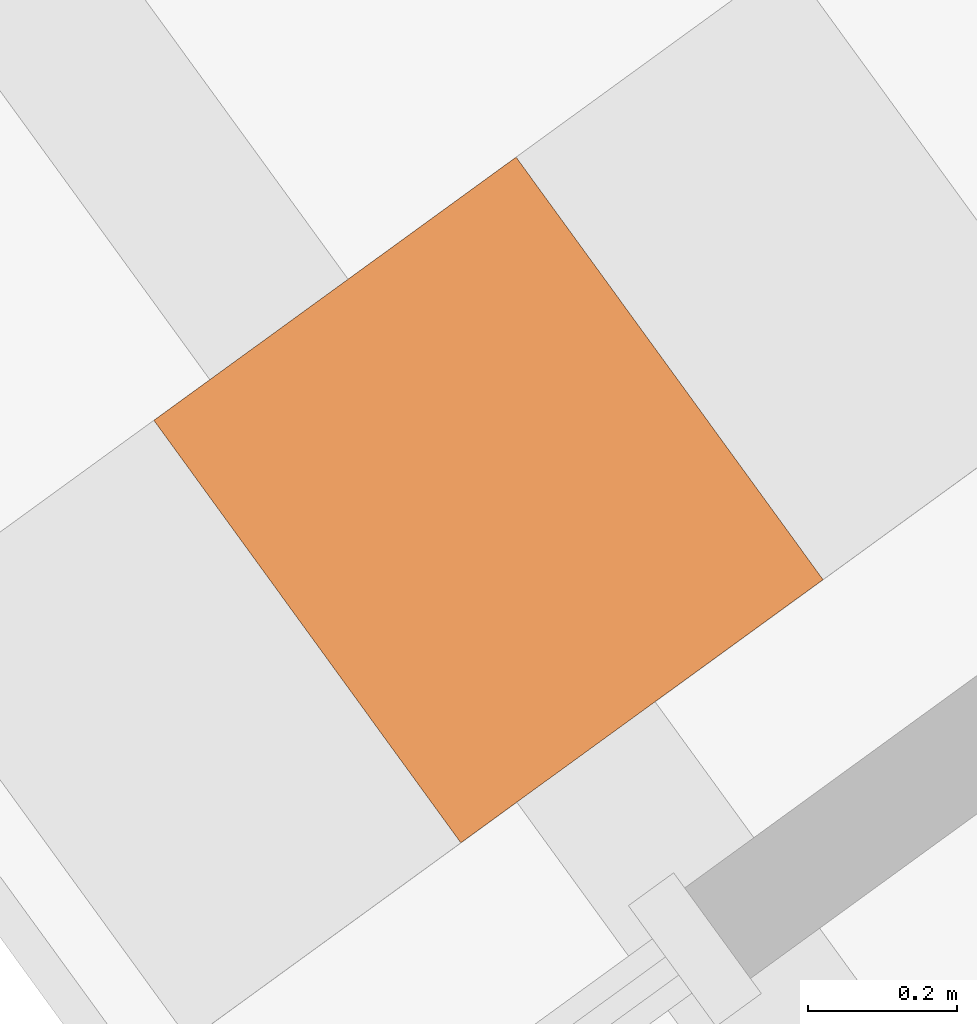
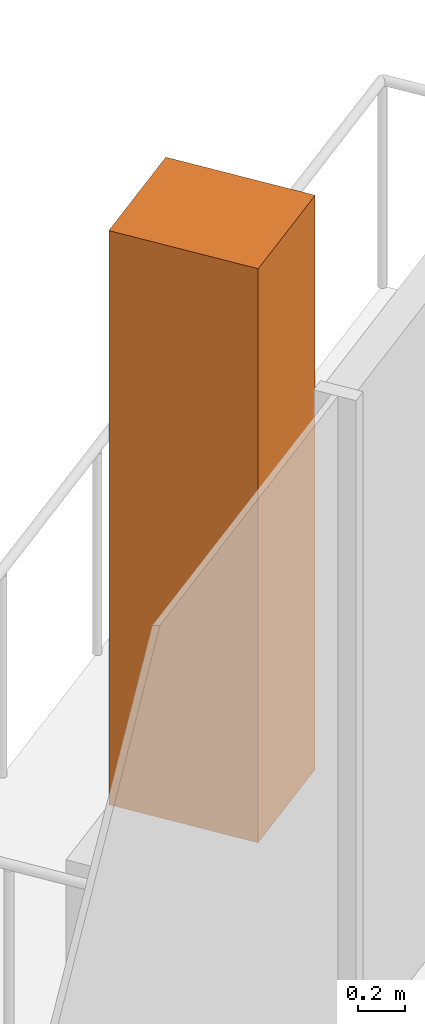
# One storey, part 21 of 21: 1 geographic element.
"""IFC4 building model written with IfcOpenShell, lengths in metres."""

from ifc_helpers import new_model, si_unit, direction, frame, origin, origin_2d, place, context, subcontext, project, spatial, rectangle, extrude, source, transform, mapped, material, type_object, element, save


model = new_model("IFC4")

# Units and contexts
model_context = context("Model", 3, precision=1e-05, world=origin(), true_north=direction((0.0, 1.0)))
body_context = subcontext(model_context, "Body", "Model", "MODEL_VIEW")
ifc_project = project(units=[si_unit("LENGTHUNIT", "METRE"), si_unit("AREAUNIT", "SQUARE_METRE"), si_unit("VOLUMEUNIT", "CUBIC_METRE"), si_unit("PLANEANGLEUNIT", "RADIAN"), si_unit("MASSUNIT", "GRAM", prefix="KILO")], contexts=[model_context])

# Site, building, storey
site_placement = place(None, origin())
site = spatial("IfcSite", under=ifc_project, at=site_placement, CompositionType="ELEMENT")
building_placement = place(site_placement, origin())
building = spatial("IfcBuilding", under=site, at=building_placement, Name="Triune Harvest Tower", CompositionType="ELEMENT")
storey_placement = place(building_placement, frame((0.0, 0.0, 65.699951171875)))
storey = spatial("IfcBuildingStorey", under=building, at=storey_placement, Name="L15", CompositionType="ELEMENT", Elevation=65.699951171875)

# Geographic element
ifc_material = material(Name="TREE-1 tree")
geographic_element_type = type_object("IfcGeographicElementType", Name="TREE-1 tree", PredefinedType="USERDEFINED", material=ifc_material)
shared_shape = source(origin(), body_context, "Body", "SweptSolid", [
    extrude(rectangle(XDim=0.60009765625, YDim=0.699951171875, at=origin_2d()), origin(), (0.0, 0.0, 1.0), 3.0),
])
geographic_element_placement = place(storey_placement, frame((-13.6484375, 18.943359375, 1.10009765625), z_axis=(0.0, 0.0, 1.0), x_axis=(-0.809017013446, -0.587785226043, 0.0)))
element("IfcGeographicElement", 1, at=geographic_element_placement, inside=storey, type_object=geographic_element_type, Name="Tree B2-F3 L15.6b", ObjectType="TREE", PredefinedType="USERDEFINED", context=body_context, shape_type="MappedRepresentation", body=[
    mapped(shared_shape, transform((0.0, 0.0, 0.0), scale=1.0)),
])

save(model, "model.ifc")
